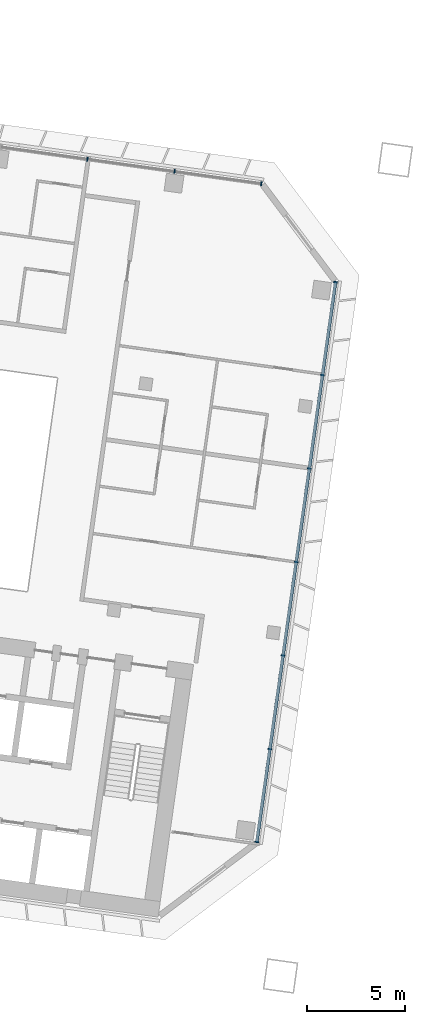
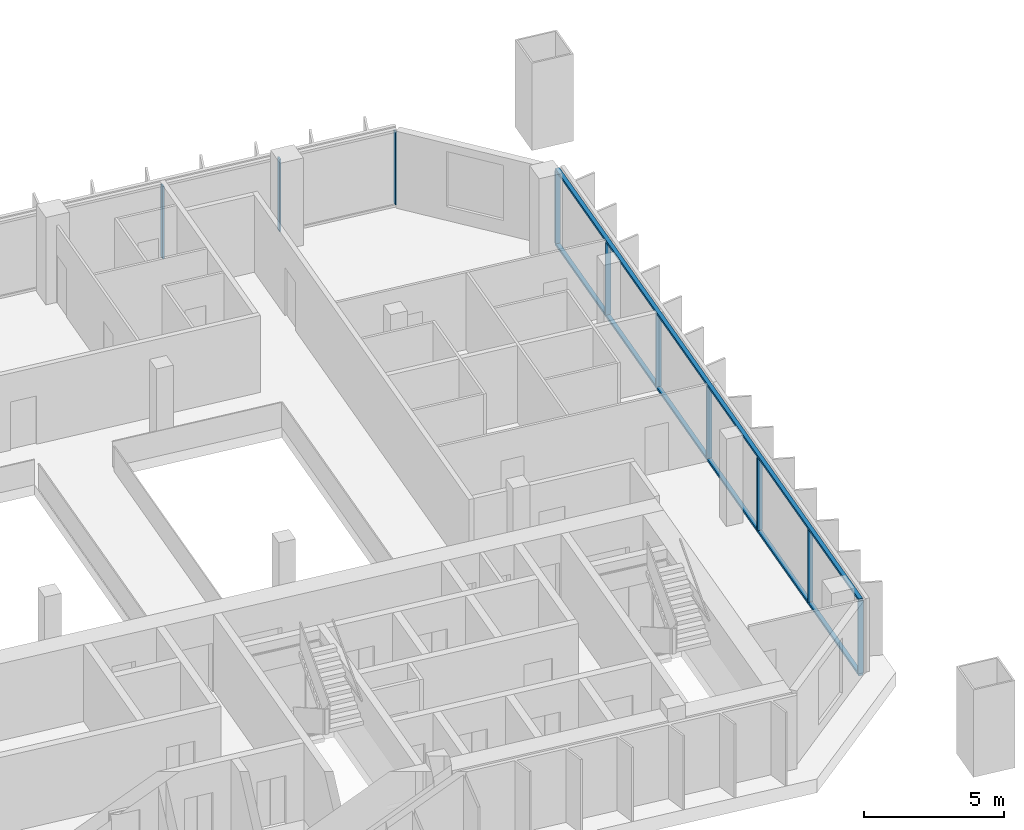
# One storey, part 6 of 27: 12 members, 2 elements without a shape of their own.
"""IFC4 building model written with IfcOpenShell, lengths in metres."""

from ifc_helpers import new_model, si_unit, direction, frame, origin, origin_2d, place, context, subcontext, project, spatial, rectangle, extrude, material, material_profile, profile_set, type_object, element, aggregate, save


model = new_model("IFC4")

# Units and contexts
model_context = context("Model", 3, precision=1e-05, world=origin(), true_north=direction((0.0, 1.0)))
body_context = subcontext(model_context, "Body", "Model", "MODEL_VIEW")
ifc_project = project(units=[si_unit("LENGTHUNIT", "METRE"), si_unit("AREAUNIT", "SQUARE_METRE"), si_unit("VOLUMEUNIT", "CUBIC_METRE"), si_unit("PLANEANGLEUNIT", "RADIAN"), si_unit("MASSUNIT", "GRAM", prefix="KILO")], contexts=[model_context])

# Site, building, storey
site_placement = place(None, origin())
site = spatial("IfcSite", under=ifc_project, at=site_placement, CompositionType="ELEMENT")
building_placement = place(site_placement, origin())
building = spatial("IfcBuilding", under=site, at=building_placement, Name="Mirante Cascada Hotel Towers", CompositionType="ELEMENT")
storey_placement = place(building_placement, frame((0.0, 0.0, 117.7)))
storey = spatial("IfcBuildingStorey", under=building, at=storey_placement, Name="L26", CompositionType="ELEMENT", Elevation=117.7)

# Curtain wall, members
ifc_material_1 = material(Name="Aluminium mullion and transom frame with clear laminated glass", Category="aluminium")
curtain_wall_type_1 = type_object("IfcCurtainWallType", Name="Ribbon curtain wall ECW1", PredefinedType="NOTDEFINED", material=ifc_material_1)
curtain_wall_1_placement = place(storey_placement, origin())
curtain_wall_1 = element("IfcCurtainWall", 1, at=curtain_wall_1_placement, inside=storey, type_object=curtain_wall_type_1, Name="Front ribbon wall T1 L26", PredefinedType="NOTDEFINED")
ifc_material_2 = material(Name="Anodised aluminium extrusion", Category="aluminium")
ifc_material_profile_1 = material_profile(ifc_material_2, rectangle(XDim=0.2, YDim=0.065, at=origin_2d()), Name="ECW1 MULLION 65x200")
ifc_profile_set_1 = profile_set([ifc_material_profile_1], Name="Anodised aluminium extrusion")
member_type_1 = type_object("IfcMemberType", Name="ECW1 mullion 65x200", PredefinedType="MULLION", material=ifc_profile_set_1)
member_1_placement = place(storey_placement, frame((-40.7892, 18.5516, 0.1), z_axis=(0.0, 0.0, 1.0), x_axis=(0.1391731, 0.9902681, 0.0)))
member_1 = element("IfcMember", 2, at=member_1_placement, type_object=member_type_1, Name="ECW1 mullion 13", PredefinedType="MULLION", context=body_context, shape_type="SweptSolid", body=[
    extrude(rectangle(XDim=0.2, YDim=0.065, at=origin_2d()), origin(), (0.0, 0.0, 1.0), 3.15),
])
member_2_placement = place(storey_placement, frame((-36.3417, 17.9265, 0.1), z_axis=(0.0, 0.0, 1.0), x_axis=(0.1391731, 0.9902681, 0.0)))
member_2 = element("IfcMember", 3, at=member_2_placement, type_object=member_type_1, Name="ECW1 mullion 14", PredefinedType="MULLION", context=body_context, shape_type="SweptSolid", body=[
    extrude(rectangle(XDim=0.2, YDim=0.065, at=origin_2d()), origin(), (0.0, 0.0, 1.0), 3.15),
])
member_3_placement = place(storey_placement, frame((-31.9265, 17.306, 0.1), z_axis=(0.0, 0.0, 1.0), x_axis=(0.1391731, 0.9902681, 0.0)))
member_3 = element("IfcMember", 4, at=member_3_placement, type_object=member_type_1, Name="ECW1 mullion 15", PredefinedType="MULLION", context=body_context, shape_type="SweptSolid", body=[
    extrude(rectangle(XDim=0.2, YDim=0.065, at=origin_2d()), origin(), (0.0, 0.0, 1.0), 3.15),
])
aggregate(curtain_wall_1, [member_1, member_2, member_3])

ifc_material_3 = material(Name="Aluminium mullion and transom frame with clear laminated glass", Category="aluminium")
curtain_wall_type_2 = type_object("IfcCurtainWallType", Name="End ribbon curtain wall ECW2", PredefinedType="NOTDEFINED", material=ifc_material_3)
curtain_wall_2_placement = place(storey_placement, origin())
curtain_wall_2 = element("IfcCurtainWall", 5, at=curtain_wall_2_placement, inside=storey, type_object=curtain_wall_type_2, Name="Inner end wall T1 L26", PredefinedType="NOTDEFINED")
ifc_material_4 = material(Name="Anodised aluminium extrusion", Category="aluminium")
ifc_material_profile_2 = material_profile(ifc_material_4, rectangle(XDim=0.2, YDim=0.065, at=origin_2d()), Name="ECW2 MULLION 65x200")
ifc_profile_set_2 = profile_set([ifc_material_profile_2], Name="Anodised aluminium extrusion")
member_type_2 = type_object("IfcMemberType", Name="ECW2 mullion 65x200", PredefinedType="MULLION", material=ifc_profile_set_2)
member_4_placement = place(storey_placement, frame((-28.1437, 12.2861, 0.1), z_axis=(0.0, 0.0, 1.0), x_axis=(0.9902681, -0.1391731, 0.0)))
member_4 = element("IfcMember", 6, at=member_4_placement, type_object=member_type_2, Name="ECW2 mullion 1", PredefinedType="MULLION", context=body_context, shape_type="SweptSolid", body=[
    extrude(rectangle(XDim=0.2, YDim=0.065, at=origin_2d()), origin(), (0.0, 0.0, 1.0), 3.15),
])
member_5_placement = place(storey_placement, frame((-28.809, 7.5524, 0.1), z_axis=(0.0, 0.0, 1.0), x_axis=(0.9902681, -0.1391731, 0.0)))
member_5 = element("IfcMember", 7, at=member_5_placement, type_object=member_type_2, Name="ECW2 mullion 2", PredefinedType="MULLION", context=body_context, shape_type="SweptSolid", body=[
    extrude(rectangle(XDim=0.2, YDim=0.065, at=origin_2d()), origin(), (0.0, 0.0, 1.0), 3.15),
])
member_6_placement = place(storey_placement, frame((-29.4788, 2.7867, 0.1), z_axis=(0.0, 0.0, 1.0), x_axis=(0.9902681, -0.1391731, 0.0)))
member_6 = element("IfcMember", 8, at=member_6_placement, type_object=member_type_2, Name="ECW2 mullion 3", PredefinedType="MULLION", context=body_context, shape_type="SweptSolid", body=[
    extrude(rectangle(XDim=0.2, YDim=0.065, at=origin_2d()), origin(), (0.0, 0.0, 1.0), 3.15),
])
member_7_placement = place(storey_placement, frame((-30.1485, -1.9791, 0.1), z_axis=(0.0, 0.0, 1.0), x_axis=(0.9902681, -0.1391731, 0.0)))
member_7 = element("IfcMember", 9, at=member_7_placement, type_object=member_type_2, Name="ECW2 mullion 4", PredefinedType="MULLION", context=body_context, shape_type="SweptSolid", body=[
    extrude(rectangle(XDim=0.2, YDim=0.065, at=origin_2d()), origin(), (0.0, 0.0, 1.0), 3.15),
])
member_8_placement = place(storey_placement, frame((-30.8183, -6.7449, 0.1), z_axis=(0.0, 0.0, 1.0), x_axis=(0.9902681, -0.1391731, 0.0)))
member_8 = element("IfcMember", 10, at=member_8_placement, type_object=member_type_2, Name="ECW2 mullion 5", PredefinedType="MULLION", context=body_context, shape_type="SweptSolid", body=[
    extrude(rectangle(XDim=0.2, YDim=0.065, at=origin_2d()), origin(), (0.0, 0.0, 1.0), 3.15),
])
member_9_placement = place(storey_placement, frame((-31.4881, -11.5107, 0.1), z_axis=(0.0, 0.0, 1.0), x_axis=(0.9902681, -0.1391731, 0.0)))
member_9 = element("IfcMember", 11, at=member_9_placement, type_object=member_type_2, Name="ECW2 mullion 6", PredefinedType="MULLION", context=body_context, shape_type="SweptSolid", body=[
    extrude(rectangle(XDim=0.2, YDim=0.065, at=origin_2d()), origin(), (0.0, 0.0, 1.0), 3.15),
])
member_10_placement = place(storey_placement, frame((-32.1534, -16.2443, 0.1), z_axis=(0.0, 0.0, 1.0), x_axis=(0.9902681, -0.1391731, 0.0)))
member_10 = element("IfcMember", 12, at=member_10_placement, type_object=member_type_2, Name="ECW2 mullion 7", PredefinedType="MULLION", context=body_context, shape_type="SweptSolid", body=[
    extrude(rectangle(XDim=0.2, YDim=0.065, at=origin_2d()), origin(), (0.0, 0.0, 1.0), 3.15),
])
ifc_material_5 = material(Name="Anodised aluminium extrusion", Category="aluminium")
ifc_material_profile_3 = material_profile(ifc_material_5, rectangle(XDim=0.16, YDim=0.1, at=origin_2d()), Name="ECW2 TRANSOM 100x160")
ifc_profile_set_3 = profile_set([ifc_material_profile_3], Name="Anodised aluminium extrusion")
member_type_3 = type_object("IfcMemberType", Name="ECW2 transom 100x160", PredefinedType="USERDEFINED", material=ifc_profile_set_3)
member_11_placement = place(storey_placement, frame((-28.1392, 12.3182, 0.05), z_axis=(-0.1391723, -0.9902682, 0.0), x_axis=(0.9902682, -0.1391723, 0.0)))
member_11 = element("IfcMember", 13, at=member_11_placement, type_object=member_type_3, Name="ECW2 sill transom", ObjectType="TRANSOM", PredefinedType="USERDEFINED", context=body_context, shape_type="SweptSolid", body=[
    extrude(rectangle(XDim=0.16, YDim=0.1, at=origin_2d()), origin(), (0.0, 0.0, 1.0), 28.8757),
])
member_12_placement = place(storey_placement, frame((-28.1392, 12.3182, 3.3), z_axis=(-0.1391723, -0.9902682, 0.0), x_axis=(0.9902682, -0.1391723, 0.0)))
member_12 = element("IfcMember", 14, at=member_12_placement, type_object=member_type_3, Name="ECW2 head transom", ObjectType="TRANSOM", PredefinedType="USERDEFINED", context=body_context, shape_type="SweptSolid", body=[
    extrude(rectangle(XDim=0.16, YDim=0.1, at=origin_2d()), origin(), (0.0, 0.0, 1.0), 28.8757),
])
aggregate(curtain_wall_2, [member_11, member_12, member_4, member_5, member_6, member_7, member_8, member_9, member_10])

save(model, "model.ifc")
